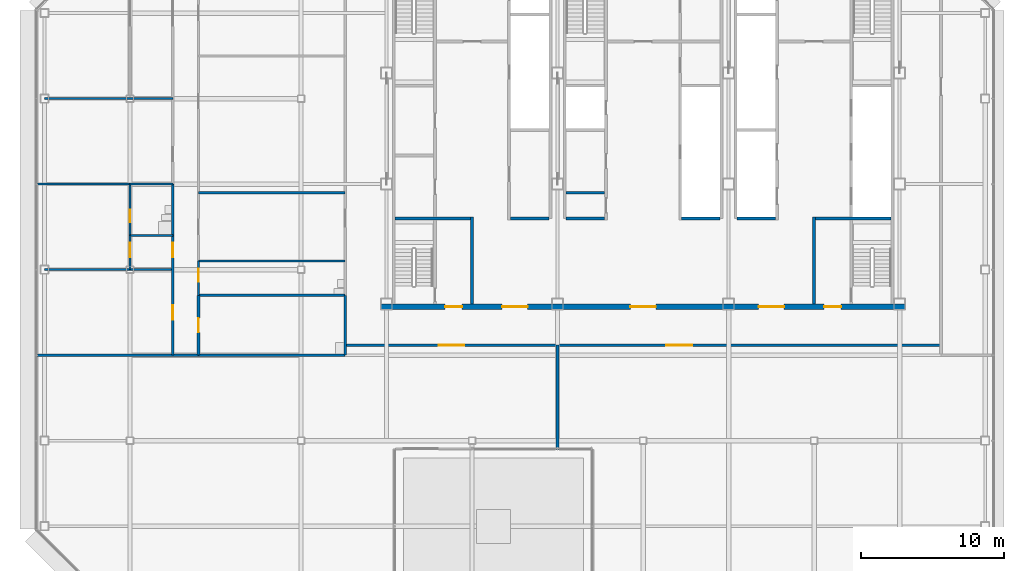
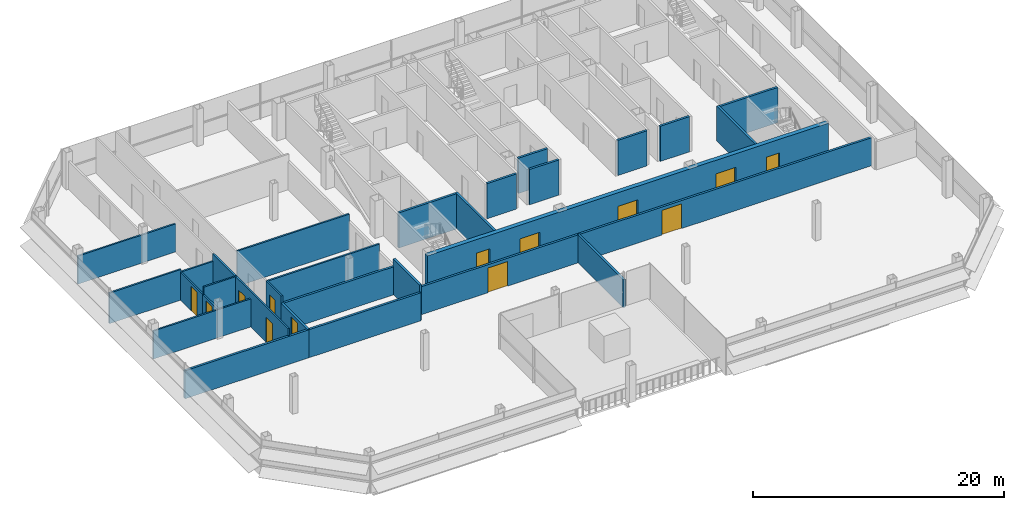
# One storey, part 20 of 27: 29 walls, 13 doors, 13 openings.
"""IFC4 building model written with IfcOpenShell, lengths in metres."""

from ifc_helpers import new_model, si_unit, direction, frame, frame_2d, origin, place, context, subcontext, project, spatial, rectangle, extrude, material, layer, layer_set, type_object, element, fill, save


model = new_model("IFC4")

# Units and contexts
model_context = context("Model", 3, precision=1e-05, world=origin(), true_north=direction((0.0, 1.0)))
body_context = subcontext(model_context, "Body", "Model", "MODEL_VIEW")
ifc_project = project(units=[si_unit("LENGTHUNIT", "METRE"), si_unit("AREAUNIT", "SQUARE_METRE"), si_unit("VOLUMEUNIT", "CUBIC_METRE"), si_unit("PLANEANGLEUNIT", "RADIAN"), si_unit("MASSUNIT", "GRAM", prefix="KILO")], contexts=[model_context])

# Site, building, storey
site_placement = place(None, origin())
site = spatial("IfcSite", under=ifc_project, at=site_placement, CompositionType="ELEMENT")
building_placement = place(site_placement, origin())
building = spatial("IfcBuilding", under=site, at=building_placement, Name="Sorahane Residences", CompositionType="ELEMENT")
storey_placement = place(building_placement, frame((0.0, 0.0, 298.0)))
storey = spatial("IfcBuildingStorey", under=building, at=storey_placement, Name="L70", CompositionType="ELEMENT", Elevation=298.0)

# Walls
ifc_material_1 = material(Name="Concrete blockwork C20 wall", Category="masonry")
ifc_layer_1 = layer(ifc_material_1, 0.199951171875)
ifc_layer_set_1 = layer_set([ifc_layer_1], Name="Corridor wall 200 EI 120")
wall_type_1 = type_object("IfcWallType", Name="Corridor wall 200 EI 120", PredefinedType="SOLIDWALL", material=ifc_layer_set_1)
wall_1_placement = place(storey_placement, frame((18.0, 11.39990234375, 0.0), z_axis=(0.0, 0.0, 1.0), x_axis=(0.0, 1.0, 0.0)))
element("IfcWall", 1, at=wall_1_placement, inside=storey, type_object=wall_type_1, Name="L70 corridor wall", PredefinedType="SOLIDWALL", context=body_context, shape_type="SweptSolid", body=[
    extrude(rectangle(XDim=7.300048828125, YDim=0.199951171875, at=frame_2d((3.64990234375, 0.0))), origin(), (0.0, 0.0, 1.0), 2.719970703125),
])
wall_2_placement = place(storey_placement, frame((-18.60009765625, 18.0, 0.0), z_axis=(0.0, 0.0, 1.0), x_axis=(1.0, 0.0, 0.0)))
element("IfcWall", 2, at=wall_2_placement, inside=storey, type_object=wall_type_1, Name="L70 corridor wall", PredefinedType="SOLIDWALL", context=body_context, shape_type="SweptSolid", body=[
    extrude(rectangle(XDim=11.400146484375, YDim=0.199951171875, at=frame_2d((5.7001953125, 0.0))), origin(), (0.0, 0.0, 1.0), 2.719970703125),
])

# Wall, openings, doors
wall_3_placement = place(storey_placement, frame((3.10009765625, 18.699951171875, 0.0), z_axis=(0.0, 0.0, 1.0), x_axis=(1.0, 0.0, 0.0)))
wall_3 = element("IfcWall", 3, at=wall_3_placement, inside=storey, type_object=wall_type_1, Name="L70 corridor wall", PredefinedType="SOLIDWALL", context=body_context, shape_type="SweptSolid", body=[
    extrude(rectangle(XDim=41.7998046875, YDim=0.199951171875, at=frame_2d((20.89990234375, 0.0))), origin(), (0.0, 0.0, 1.0), 2.719970703125),
])
opening_1_placement = place(wall_3_placement, frame((6.550048828125, 0.0, 0.0)))
opening_1 = element("IfcOpeningElement", 4, at=opening_1_placement, cuts=wall_3, Name="Opening L70-14", PredefinedType="OPENING", context=body_context, shape_type="SweptSolid", body=[
    extrude(rectangle(XDim=1.800048828125, YDim=2.39990234375, at=frame_2d((0.89990234375, 1.199951171875))), frame((0.0, 0.10986328125, 0.0), z_axis=(0.0, -1.0, 0.0), x_axis=(1.0, 0.0, 0.0)), (0.0, 0.0, 1.0), 0.219970703125),
])
opening_2_placement = place(wall_3_placement, frame((22.530029296875, 0.0, 0.0)))
opening_2 = element("IfcOpeningElement", 5, at=opening_2_placement, cuts=wall_3, Name="Opening L70-15", PredefinedType="OPENING", context=body_context, shape_type="SweptSolid", body=[
    extrude(rectangle(XDim=1.800048828125, YDim=2.39990234375, at=frame_2d((0.89990234375, 1.199951171875))), frame((0.0, 0.10986328125, 0.0), z_axis=(0.0, -1.0, 0.0), x_axis=(1.0, 0.0, 0.0)), (0.0, 0.0, 1.0), 0.219970703125),
])
ifc_material_2 = material(Name="Timber veneered fire door", Category="wood")
door_type_1 = type_object("IfcDoorType", Name="Double door 1800x2400 FD30", OperationType="NOTDEFINED", PredefinedType="DOOR", material=ifc_material_2)
door_1_placement = place(opening_1_placement, frame((1.800048828125, 0.0, 0.0), z_axis=(0.0, 0.0, 1.0), x_axis=(-1.0, 0.0, 0.0)))
door_1 = element("IfcDoor", 6, at=door_1_placement, inside=storey, type_object=door_type_1, Name="Double door L70-14", OperationType="SINGLE_SWING_RIGHT", OverallHeight=2.39990234375, OverallWidth=1.800048828125, PredefinedType="DOOR", context=body_context, shape_type="SweptSolid", body=[
    extrude(rectangle(XDim=1.800048828125, YDim=2.39990234375, at=frame_2d((0.89990234375, 1.199951171875))), frame((0.0, 0.02490234375, 0.0), z_axis=(0.0, -1.0, 0.0), x_axis=(1.0, 0.0, 0.0)), (0.0, 0.0, 1.0), 0.050048828125),
])
fill(opening_1, door_1)
door_2_placement = place(opening_2_placement, frame((1.800048828125, 0.0, 0.0), z_axis=(0.0, 0.0, 1.0), x_axis=(-1.0, 0.0, 0.0)))
door_2 = element("IfcDoor", 7, at=door_2_placement, inside=storey, type_object=door_type_1, Name="Double door L70-15", OperationType="SINGLE_SWING_RIGHT", OverallHeight=2.39990234375, OverallWidth=1.800048828125, PredefinedType="DOOR", context=body_context, shape_type="SweptSolid", body=[
    extrude(rectangle(XDim=1.800048828125, YDim=2.39990234375, at=frame_2d((0.89990234375, 1.199951171875))), frame((0.0, 0.02490234375, 0.0), z_axis=(0.0, -1.0, 0.0), x_axis=(1.0, 0.0, 0.0)), (0.0, 0.0, 1.0), 0.050048828125),
])
fill(opening_2, door_2)

# Walls
ifc_material_3 = material(Name="Concrete C30", Category="concrete")
ifc_layer_2 = layer(ifc_material_3, 0.199951171875)
ifc_layer_set_2 = layer_set([ifc_layer_2], Name="Front room wall 200 EI 120")
wall_type_2 = type_object("IfcWallType", Name="Front room wall 200 EI 120", PredefinedType="PARTITIONING", material=ifc_layer_set_2)
for number, where, z_axis, x_axis, name in (
    (8, (12.0, 21.60009765625, 0.0), (0.0, 0.0, 1.0), (0.0, 1.0, 0.0), "L70 front room wall"),
    (9, (36.0, 21.60009765625, 0.0), (0.0, 0.0, 1.0), (0.0, 1.0, 0.0), "L70 front room wall"),
):
    element("IfcWall", number, at=place(storey_placement, frame(where, z_axis=z_axis, x_axis=x_axis)), inside=storey, type_object=wall_type_2, Name=name, PredefinedType="PARTITIONING", context=body_context, shape_type="SweptSolid", body=[
        extrude(rectangle(XDim=6.099853515625, YDim=0.199951171875, at=frame_2d((3.0498046875, 0.0))), origin(), (0.0, 0.0, 1.0), 3.419921875),
    ])

# Wall, opening, door
ifc_material_4 = material(Name="Concrete blockwork C20 wall", Category="masonry")
ifc_layer_3 = layer(ifc_material_4, 0.199951171875)
ifc_layer_set_3 = layer_set([ifc_layer_3], Name="Kitchen wall 200 EI 180")
wall_type_3 = type_object("IfcWallType", Name="Kitchen wall 200 EI 180", PredefinedType="SOLIDWALL", material=ifc_layer_set_3)
wall_4_placement = place(storey_placement, frame((-7.199951171875, 18.0, 0.0), z_axis=(0.0, 0.0, 1.0), x_axis=(0.0, 1.0, 0.0)))
wall_4 = element("IfcWall", 10, at=wall_4_placement, inside=storey, type_object=wall_type_3, Name="L70 kitchen wall", PredefinedType="SOLIDWALL", context=body_context, shape_type="SweptSolid", body=[
    extrude(rectangle(XDim=4.199951171875, YDim=0.199951171875, at=frame_2d((2.10009765625, 0.0))), origin(), (0.0, 0.0, 1.0), 2.719970703125),
])
opening_3_placement = place(wall_4_placement, frame((1.60009765625, 0.0, 0.0)))
opening_3 = element("IfcOpeningElement", 11, at=opening_3_placement, cuts=wall_4, Name="Opening L70-02", PredefinedType="OPENING", context=body_context, shape_type="SweptSolid", body=[
    extrude(rectangle(XDim=1.0, YDim=2.39990234375, at=frame_2d((0.5, 1.199951171875))), frame((0.0, 0.10986328125, 0.0), z_axis=(0.0, -1.0, 0.0), x_axis=(1.0, 0.0, 0.0)), (0.0, 0.0, 1.0), 0.219970703125),
])
ifc_material_5 = material(Name="Steel", Category="steel")
door_type_2 = type_object("IfcDoorType", Name="Kitchen door 1000x2400 FD120", OperationType="NOTDEFINED", PredefinedType="DOOR", material=ifc_material_5)
door_3_placement = place(opening_3_placement, frame((1.0, 0.0, 0.0), z_axis=(0.0, 0.0, 1.0), x_axis=(-1.0, 0.0, 0.0)))
door_3 = element("IfcDoor", 12, at=door_3_placement, inside=storey, type_object=door_type_2, Name="Kitchen door L70-02", OperationType="SINGLE_SWING_RIGHT", OverallHeight=2.39990234375, OverallWidth=1.0, PredefinedType="DOOR", context=body_context, shape_type="SweptSolid", body=[
    extrude(rectangle(XDim=1.0, YDim=2.39990234375, at=frame_2d((0.5, 1.199951171875))), frame((0.0, 0.02490234375, 0.0), z_axis=(0.0, -1.0, 0.0), x_axis=(1.0, 0.0, 0.0)), (0.0, 0.0, 1.0), 0.050048828125),
])
fill(opening_3, door_3)

# Walls
wall_5_placement = place(storey_placement, frame((3.10009765625, 18.001953125, 0.0), z_axis=(0.0, 0.0, 1.0), x_axis=(0.0, 1.0, 0.0)))
element("IfcWall", 13, at=wall_5_placement, inside=storey, type_object=wall_type_3, Name="L70 kitchen wall", PredefinedType="SOLIDWALL", context=body_context, shape_type="SweptSolid", body=[
    extrude(rectangle(XDim=4.197998046875, YDim=0.199951171875, at=frame_2d((2.09912109375, 0.0))), origin(), (0.0, 0.0, 1.0), 3.419921875),
])
wall_6_placement = place(storey_placement, frame((-7.199951171875, 18.0, 0.0), z_axis=(0.0, 0.0, 1.0), x_axis=(1.0, 0.0, 0.0)))
element("IfcWall", 14, at=wall_6_placement, inside=storey, type_object=wall_type_3, Name="L70 kitchen wall", PredefinedType="SOLIDWALL", context=body_context, shape_type="SweptSolid", body=[
    extrude(rectangle(XDim=10.2978515625, YDim=0.199951171875, at=frame_2d((5.14892578125, 0.0))), origin(), (0.0, 0.0, 1.0), 2.719970703125),
])
wall_7_placement = place(storey_placement, frame((-7.199951171875, 22.199951171875, 0.0), z_axis=(0.0, 0.0, 1.0), x_axis=(1.0, 0.0, 0.0)))
element("IfcWall", 15, at=wall_7_placement, inside=storey, type_object=wall_type_3, Name="L70 kitchen wall", PredefinedType="SOLIDWALL", context=body_context, shape_type="SweptSolid", body=[
    extrude(rectangle(XDim=10.300048828125, YDim=0.199951171875, at=frame_2d((5.14990234375, 0.0))), origin(), (0.0, 0.0, 1.0), 2.719970703125),
])
ifc_material_6 = material(Name="Concrete C30", Category="concrete")
ifc_layer_4 = layer(ifc_material_6, 0.199951171875)
ifc_layer_set_4 = layer_set([ifc_layer_4], Name="Lift shaft wall 200 EI 120")
wall_type_4 = type_object("IfcWallType", Name="Lift shaft wall 200 EI 120", PredefinedType="SOLIDWALL", material=ifc_layer_set_4)
wall_8_placement = place(storey_placement, frame((30.60009765625, 27.60009765625, 0.0), z_axis=(0.0, 0.0, 1.0), x_axis=(1.0, 0.0, 0.0)))
element("IfcWall", 16, at=wall_8_placement, inside=storey, type_object=wall_type_4, Name="L70 lift shaft wall", PredefinedType="SOLIDWALL", context=body_context, shape_type="SweptSolid", body=[
    extrude(rectangle(XDim=2.699951171875, YDim=0.199951171875, at=frame_2d((1.35009765625, 0.0))), origin(), (0.0, 0.0, 1.0), 3.419921875),
])

# Wall, opening, door
ifc_material_7 = material(Name="Gypsum board partition on steel studs", Category="steel")
ifc_layer_5 = layer(ifc_material_7, 0.14990234375)
ifc_layer_set_5 = layer_set([ifc_layer_5], Name="Partition 150 EI 90")
wall_type_5 = type_object("IfcWallType", Name="Partition 150 EI 90", PredefinedType="PARTITIONING", material=ifc_layer_set_5)
wall_9_placement = place(storey_placement, frame((-12.0, 24.0, 0.0), z_axis=(0.0, 0.0, 1.0), x_axis=(0.0, 1.0, 0.0)))
wall_9 = element("IfcWall", 17, at=wall_9_placement, inside=storey, type_object=wall_type_5, Name="L70 partition", PredefinedType="PARTITIONING", context=body_context, shape_type="SweptSolid", body=[
    extrude(rectangle(XDim=2.39990234375, YDim=0.14990234375, at=frame_2d((1.199951171875, 0.0))), origin(), (0.0, 0.0, 1.0), 2.719970703125),
])
opening_4_placement = place(wall_9_placement, frame((0.8798828125, 0.0, 0.0)))
opening_4 = element("IfcOpeningElement", 18, at=opening_4_placement, cuts=wall_9, Name="Opening L70-10", PredefinedType="OPENING", context=body_context, shape_type="SweptSolid", body=[
    extrude(rectangle(XDim=1.0, YDim=2.39990234375, at=frame_2d((0.5, 1.199951171875))), frame((0.0, 0.0849609375, 0.0), z_axis=(0.0, -1.0, 0.0), x_axis=(1.0, 0.0, 0.0)), (0.0, 0.0, 1.0), 0.169921875),
])
ifc_material_8 = material(Name="Timber veneered fire door", Category="wood")
door_type_3 = type_object("IfcDoorType", Name="Room door 1000x2400 FD30", OperationType="NOTDEFINED", PredefinedType="DOOR", material=ifc_material_8)
door_4_placement = place(opening_4_placement, origin())
door_4 = element("IfcDoor", 19, at=door_4_placement, inside=storey, type_object=door_type_3, Name="Room door L70-10", OperationType="SINGLE_SWING_RIGHT", OverallHeight=2.39990234375, OverallWidth=1.0, PredefinedType="DOOR", context=body_context, shape_type="SweptSolid", body=[
    extrude(rectangle(XDim=1.0, YDim=2.39990234375, at=frame_2d((0.5, 1.199951171875))), frame((0.0, 0.02490234375, 0.0), z_axis=(0.0, -1.0, 0.0), x_axis=(1.0, 0.0, 0.0)), (0.0, 0.0, 1.0), 0.050048828125),
])
fill(opening_4, door_4)

# Wall, openings, doors
wall_10_placement = place(storey_placement, frame((-9.0, 18.0, 0.0), z_axis=(0.0, 0.0, 1.0), x_axis=(0.0, 1.0, 0.0)))
wall_10 = element("IfcWall", 20, at=wall_10_placement, inside=storey, type_object=wall_type_5, Name="L70 partition", PredefinedType="PARTITIONING", context=body_context, shape_type="SweptSolid", body=[
    extrude(rectangle(XDim=8.39990234375, YDim=0.14990234375, at=frame_2d((4.199951171875, 0.0))), origin(), (0.0, 0.0, 1.0), 3.419921875),
])
opening_5_placement = place(wall_10_placement, frame((2.5, 0.0, 0.0)))
opening_5 = element("IfcOpeningElement", 21, at=opening_5_placement, cuts=wall_10, Name="Opening L70-06", PredefinedType="OPENING", context=body_context, shape_type="SweptSolid", body=[
    extrude(rectangle(XDim=1.0, YDim=2.39990234375, at=frame_2d((0.5, 1.199951171875))), frame((0.0, 0.0849609375, 0.0), z_axis=(0.0, -1.0, 0.0), x_axis=(1.0, 0.0, 0.0)), (0.0, 0.0, 1.0), 0.169921875),
])
opening_6_placement = place(wall_10_placement, frame((6.8798828125, 0.0, 0.0)))
opening_6 = element("IfcOpeningElement", 22, at=opening_6_placement, cuts=wall_10, Name="Opening L70-07", PredefinedType="OPENING", context=body_context, shape_type="SweptSolid", body=[
    extrude(rectangle(XDim=1.0, YDim=2.39990234375, at=frame_2d((0.5, 1.199951171875))), frame((0.0, 0.0849609375, 0.0), z_axis=(0.0, -1.0, 0.0), x_axis=(1.0, 0.0, 0.0)), (0.0, 0.0, 1.0), 0.169921875),
])
door_5_placement = place(opening_5_placement, origin())
door_5 = element("IfcDoor", 23, at=door_5_placement, inside=storey, type_object=door_type_3, Name="Room door L70-06", OperationType="SINGLE_SWING_LEFT", OverallHeight=2.39990234375, OverallWidth=1.0, PredefinedType="DOOR", context=body_context, shape_type="SweptSolid", body=[
    extrude(rectangle(XDim=1.0, YDim=2.39990234375, at=frame_2d((0.5, 1.199951171875))), frame((0.0, 0.02490234375, 0.0), z_axis=(0.0, -1.0, 0.0), x_axis=(1.0, 0.0, 0.0)), (0.0, 0.0, 1.0), 0.050048828125),
])
fill(opening_5, door_5)
door_6_placement = place(opening_6_placement, origin())
door_6 = element("IfcDoor", 24, at=door_6_placement, inside=storey, type_object=door_type_3, Name="Room door L70-07", OperationType="SINGLE_SWING_LEFT", OverallHeight=2.39990234375, OverallWidth=1.0, PredefinedType="DOOR", context=body_context, shape_type="SweptSolid", body=[
    extrude(rectangle(XDim=1.0, YDim=2.39990234375, at=frame_2d((0.5, 1.199951171875))), frame((0.0, 0.02490234375, 0.0), z_axis=(0.0, -1.0, 0.0), x_axis=(1.0, 0.0, 0.0)), (0.0, 0.0, 1.0), 0.050048828125),
])
fill(opening_6, door_6)

# Walls
wall_11_placement = place(storey_placement, frame((-18.0, 24.0, 0.0), z_axis=(0.0, 0.0, 1.0), x_axis=(1.0, 0.0, 0.0)))
element("IfcWall", 25, at=wall_11_placement, inside=storey, type_object=wall_type_5, Name="L70 partition", PredefinedType="PARTITIONING", context=body_context, shape_type="SweptSolid", body=[
    extrude(rectangle(XDim=9.0, YDim=0.14990234375, at=frame_2d((4.5, 0.0))), origin(), (0.0, 0.0, 1.0), 2.719970703125),
])
wall_12_placement = place(storey_placement, frame((-7.199951171875, 29.39990234375, 0.0), z_axis=(0.0, 0.0, 1.0), x_axis=(1.0, 0.0, 0.0)))
element("IfcWall", 26, at=wall_12_placement, inside=storey, type_object=wall_type_5, Name="L70 partition", PredefinedType="PARTITIONING", context=body_context, shape_type="SweptSolid", body=[
    extrude(rectangle(XDim=10.300048828125, YDim=0.14990234375, at=frame_2d((5.14990234375, 0.0))), origin(), (0.0, 0.0, 1.0), 3.419921875),
])
wall_13_placement = place(storey_placement, frame((-18.60009765625, 30.0, 0.0), z_axis=(0.0, 0.0, 1.0), x_axis=(1.0, 0.0, 0.0)))
element("IfcWall", 27, at=wall_13_placement, inside=storey, type_object=wall_type_5, Name="L70 partition", PredefinedType="PARTITIONING", context=body_context, shape_type="SweptSolid", body=[
    extrude(rectangle(XDim=6.60009765625, YDim=0.14990234375, at=frame_2d((3.300048828125, 0.0))), origin(), (0.0, 0.0, 1.0), 2.969970703125),
])
wall_14_placement = place(storey_placement, frame((-18.0, 36.0, 0.0), z_axis=(0.0, 0.0, 1.0), x_axis=(1.0, 0.0, 0.0)))
element("IfcWall", 28, at=wall_14_placement, inside=storey, type_object=wall_type_5, Name="L70 partition", PredefinedType="PARTITIONING", context=body_context, shape_type="SweptSolid", body=[
    extrude(rectangle(XDim=9.0, YDim=0.14990234375, at=frame_2d((4.5, 0.0))), origin(), (0.0, 0.0, 1.0), 2.719970703125),
])
ifc_material_9 = material(Name="Concrete C30", Category="concrete")
ifc_layer_6 = layer(ifc_material_9, 0.199951171875)
ifc_layer_set_6 = layer_set([ifc_layer_6], Name="Riser shaft wall 200 EI 120")
wall_type_6 = type_object("IfcWallType", Name="Riser shaft wall 200 EI 120", PredefinedType="SOLIDWALL", material=ifc_layer_set_6)
wall_15_placement = place(storey_placement, frame((26.699951171875, 27.60009765625, 0.0), z_axis=(0.0, 0.0, 1.0), x_axis=(1.0, 0.0, 0.0)))
element("IfcWall", 29, at=wall_15_placement, inside=storey, type_object=wall_type_6, Name="L70 riser wall", PredefinedType="SOLIDWALL", context=body_context, shape_type="SweptSolid", body=[
    extrude(rectangle(XDim=2.699951171875, YDim=0.199951171875, at=frame_2d((1.35009765625, 0.0))), origin(), (0.0, 0.0, 1.0), 3.419921875),
])
ifc_material_10 = material(Name="Concrete C30", Category="concrete")
ifc_layer_7 = layer(ifc_material_10, 0.199951171875)
ifc_layer_set_7 = layer_set([ifc_layer_7], Name="Service room partition 200 EI 60")
wall_type_7 = type_object("IfcWallType", Name="Service room partition 200 EI 60", PredefinedType="PARTITIONING", material=ifc_layer_set_7)
for number, where, z_axis, x_axis, name in (
    (30, (14.699951171875, 27.60009765625, 0.0), (0.0, 0.0, 1.0), (1.0, 0.0, 0.0), "L70 service room wall"),
    (31, (18.60009765625, 27.60009765625, 0.0), (0.0, 0.0, 1.0), (1.0, 0.0, 0.0), "L70 service room wall"),
    (32, (18.60009765625, 29.39990234375, 0.0), (0.0, 0.0, 1.0), (1.0, 0.0, 0.0), "L70 service room wall"),
):
    element("IfcWall", number, at=place(storey_placement, frame(where, z_axis=z_axis, x_axis=x_axis)), inside=storey, type_object=wall_type_7, Name=name, PredefinedType="PARTITIONING", context=body_context, shape_type="SweptSolid", body=[
        extrude(rectangle(XDim=2.699951171875, YDim=0.199951171875, at=frame_2d((1.35009765625, 0.0))), origin(), (0.0, 0.0, 1.0), 3.419921875),
    ])
ifc_material_11 = material(Name="Concrete C30", Category="concrete")
ifc_layer_8 = layer(ifc_material_11, 0.199951171875)
ifc_layer_set_8 = layer_set([ifc_layer_8], Name="Stair enclosure wall 200 EI 120")
wall_type_8 = type_object("IfcWallType", Name="Stair enclosure wall 200 EI 120", PredefinedType="SOLIDWALL", material=ifc_layer_set_8)
for number, where, z_axis, x_axis, name in (
    (33, (36.10009765625, 27.60009765625, 0.0), (0.0, 0.0, 1.0), (1.0, 0.0, 0.0), "L70 stair enclosure wall"),
    (34, (6.60009765625, 27.60009765625, 0.0), (0.0, 0.0, 1.0), (1.0, 0.0, 0.0), "L70 stair enclosure wall"),
):
    element("IfcWall", number, at=place(storey_placement, frame(where, z_axis=z_axis, x_axis=x_axis)), inside=storey, type_object=wall_type_8, Name=name, PredefinedType="SOLIDWALL", context=body_context, shape_type="SweptSolid", body=[
        extrude(rectangle(XDim=5.2998046875, YDim=0.199951171875, at=frame_2d((2.64990234375, 0.0))), origin(), (0.0, 0.0, 1.0), 3.419921875),
    ])

# Wall, openings, doors
ifc_material_12 = material(Name="Concrete C30", Category="concrete")
ifc_layer_9 = layer(ifc_material_12, 0.39990234375)
ifc_layer_set_9 = layer_set([ifc_layer_9], Name="Waiting hall wall 400 EI 120")
wall_type_9 = type_object("IfcWallType", Name="Waiting hall wall 400 EI 120", PredefinedType="SOLIDWALL", material=ifc_layer_set_9)
wall_16_placement = place(storey_placement, frame((5.60009765625, 21.39990234375, 0.0), z_axis=(0.0, 0.0, 1.0), x_axis=(1.0, 0.0, 0.0)))
wall_16 = element("IfcWall", 35, at=wall_16_placement, inside=storey, type_object=wall_type_9, Name="L70 waiting hall wall", PredefinedType="SOLIDWALL", context=body_context, shape_type="SweptSolid", body=[
    extrude(rectangle(XDim=36.7998046875, YDim=0.39990234375, at=frame_2d((18.39990234375, 0.0))), origin(), (0.0, 0.0, 1.0), 3.419921875),
])
opening_7_placement = place(wall_16_placement, frame((8.5, 0.0, 0.0)))
opening_7 = element("IfcOpeningElement", 36, at=opening_7_placement, cuts=wall_16, Name="Opening L70-C01", PredefinedType="OPENING", context=body_context, shape_type="SweptSolid", body=[
    extrude(rectangle(XDim=1.800048828125, YDim=2.10009765625, at=frame_2d((0.89990234375, 1.050048828125))), frame((0.0, 0.2099609375, 0.0), z_axis=(0.0, -1.0, 0.0), x_axis=(1.0, 0.0, 0.0)), (0.0, 0.0, 1.0), 0.419921875),
])
opening_8_placement = place(wall_16_placement, frame((17.5, 0.0, 0.0)))
opening_8 = element("IfcOpeningElement", 37, at=opening_8_placement, cuts=wall_16, Name="Opening L70-C02", PredefinedType="OPENING", context=body_context, shape_type="SweptSolid", body=[
    extrude(rectangle(XDim=1.800048828125, YDim=2.10009765625, at=frame_2d((0.89990234375, 1.050048828125))), frame((0.0, 0.2099609375, 0.0), z_axis=(0.0, -1.0, 0.0), x_axis=(1.0, 0.0, 0.0)), (0.0, 0.0, 1.0), 0.419921875),
])
opening_9_placement = place(wall_16_placement, frame((26.5, 0.0, 0.0)))
opening_9 = element("IfcOpeningElement", 38, at=opening_9_placement, cuts=wall_16, Name="Opening L70-C03", PredefinedType="OPENING", context=body_context, shape_type="SweptSolid", body=[
    extrude(rectangle(XDim=1.800048828125, YDim=2.10009765625, at=frame_2d((0.89990234375, 1.050048828125))), frame((0.0, 0.2099609375, 0.0), z_axis=(0.0, -1.0, 0.0), x_axis=(1.0, 0.0, 0.0)), (0.0, 0.0, 1.0), 0.419921875),
])
opening_10_placement = place(wall_16_placement, frame((4.5, 0.0, 0.0)))
opening_10 = element("IfcOpeningElement", 39, at=opening_10_placement, cuts=wall_16, Name="Opening L70-C04", PredefinedType="OPENING", context=body_context, shape_type="SweptSolid", body=[
    extrude(rectangle(XDim=1.199951171875, YDim=2.10009765625, at=frame_2d((0.60009765625, 1.050048828125))), frame((0.0, 0.2099609375, 0.0), z_axis=(0.0, -1.0, 0.0), x_axis=(1.0, 0.0, 0.0)), (0.0, 0.0, 1.0), 0.419921875),
])
opening_11_placement = place(wall_16_placement, frame((31.10009765625, 0.0, 0.0)))
opening_11 = element("IfcOpeningElement", 40, at=opening_11_placement, cuts=wall_16, Name="Opening L70-C05", PredefinedType="OPENING", context=body_context, shape_type="SweptSolid", body=[
    extrude(rectangle(XDim=1.199951171875, YDim=2.10009765625, at=frame_2d((0.60009765625, 1.050048828125))), frame((0.0, 0.2099609375, 0.0), z_axis=(0.0, -1.0, 0.0), x_axis=(1.0, 0.0, 0.0)), (0.0, 0.0, 1.0), 0.419921875),
])
ifc_material_13 = material(Name="Steel", Category="steel")
door_type_4 = type_object("IfcDoorType", Name="Stair front room door 1200x2100 FD120", OperationType="NOTDEFINED", PredefinedType="DOOR", material=ifc_material_13)
door_7_placement = place(opening_10_placement, frame((1.199951171875, 0.0, 0.0), z_axis=(0.0, 0.0, 1.0), x_axis=(-1.0, 0.0, 0.0)))
door_7 = element("IfcDoor", 41, at=door_7_placement, inside=storey, type_object=door_type_4, Name="Stair front room door Stair S4 front room L70", OperationType="SINGLE_SWING_LEFT", OverallHeight=2.10009765625, OverallWidth=1.199951171875, PredefinedType="DOOR", context=body_context, shape_type="SweptSolid", body=[
    extrude(rectangle(XDim=1.199951171875, YDim=2.10009765625, at=frame_2d((0.60009765625, 1.050048828125))), frame((0.0, 0.02490234375, 0.0), z_axis=(0.0, -1.0, 0.0), x_axis=(1.0, 0.0, 0.0)), (0.0, 0.0, 1.0), 0.050048828125),
])
fill(opening_10, door_7)
door_8_placement = place(opening_11_placement, frame((1.199951171875, 0.0, 0.0), z_axis=(0.0, 0.0, 1.0), x_axis=(-1.0, 0.0, 0.0)))
door_8 = element("IfcDoor", 42, at=door_8_placement, inside=storey, type_object=door_type_4, Name="Stair front room door Stair S5 front room L70", OperationType="SINGLE_SWING_LEFT", OverallHeight=2.10009765625, OverallWidth=1.199951171875, PredefinedType="DOOR", context=body_context, shape_type="SweptSolid", body=[
    extrude(rectangle(XDim=1.199951171875, YDim=2.10009765625, at=frame_2d((0.60009765625, 1.050048828125))), frame((0.0, 0.02490234375, 0.0), z_axis=(0.0, -1.0, 0.0), x_axis=(1.0, 0.0, 0.0)), (0.0, 0.0, 1.0), 0.050048828125),
])
fill(opening_11, door_8)
ifc_material_14 = material(Name="Steel", Category="steel")
door_type_5 = type_object("IfcDoorType", Name="Waiting hall door 1800x2100 FD60", OperationType="NOTDEFINED", PredefinedType="DOOR", material=ifc_material_14)
door_9_placement = place(opening_7_placement, frame((1.800048828125, 0.0, 0.0), z_axis=(0.0, 0.0, 1.0), x_axis=(-1.0, 0.0, 0.0)))
door_9 = element("IfcDoor", 43, at=door_9_placement, inside=storey, type_object=door_type_5, Name="Waiting hall door Residents' waiting hall L70", OperationType="SINGLE_SWING_LEFT", OverallHeight=2.10009765625, OverallWidth=1.800048828125, PredefinedType="DOOR", context=body_context, shape_type="SweptSolid", body=[
    extrude(rectangle(XDim=1.800048828125, YDim=2.10009765625, at=frame_2d((0.89990234375, 1.050048828125))), frame((0.0, 0.02490234375, 0.0), z_axis=(0.0, -1.0, 0.0), x_axis=(1.0, 0.0, 0.0)), (0.0, 0.0, 1.0), 0.050048828125),
])
fill(opening_7, door_9)
door_10_placement = place(opening_8_placement, frame((1.800048828125, 0.0, 0.0), z_axis=(0.0, 0.0, 1.0), x_axis=(-1.0, 0.0, 0.0)))
door_10 = element("IfcDoor", 44, at=door_10_placement, inside=storey, type_object=door_type_5, Name="Waiting hall door Residents' waiting hall L70", OperationType="SINGLE_SWING_LEFT", OverallHeight=2.10009765625, OverallWidth=1.800048828125, PredefinedType="DOOR", context=body_context, shape_type="SweptSolid", body=[
    extrude(rectangle(XDim=1.800048828125, YDim=2.10009765625, at=frame_2d((0.89990234375, 1.050048828125))), frame((0.0, 0.02490234375, 0.0), z_axis=(0.0, -1.0, 0.0), x_axis=(1.0, 0.0, 0.0)), (0.0, 0.0, 1.0), 0.050048828125),
])
fill(opening_8, door_10)
door_11_placement = place(opening_9_placement, frame((1.800048828125, 0.0, 0.0), z_axis=(0.0, 0.0, 1.0), x_axis=(-1.0, 0.0, 0.0)))
door_11 = element("IfcDoor", 45, at=door_11_placement, inside=storey, type_object=door_type_5, Name="Waiting hall door Residents' waiting hall L70", OperationType="SINGLE_SWING_LEFT", OverallHeight=2.10009765625, OverallWidth=1.800048828125, PredefinedType="DOOR", context=body_context, shape_type="SweptSolid", body=[
    extrude(rectangle(XDim=1.800048828125, YDim=2.10009765625, at=frame_2d((0.89990234375, 1.050048828125))), frame((0.0, 0.02490234375, 0.0), z_axis=(0.0, -1.0, 0.0), x_axis=(1.0, 0.0, 0.0)), (0.0, 0.0, 1.0), 0.050048828125),
])
fill(opening_9, door_11)

# Wall, opening, door
ifc_material_15 = material(Name="Gypsum board partition on steel studs", Category="steel")
ifc_layer_10 = layer(ifc_material_15, 0.14990234375)
ifc_layer_set_10 = layer_set([ifc_layer_10], Name="Wet wall 150 EI 90")
wall_type_10 = type_object("IfcWallType", Name="Wet wall 150 EI 90", PredefinedType="PARTITIONING", material=ifc_layer_set_10)
wall_17_placement = place(storey_placement, frame((-12.0, 26.39990234375, 0.0), z_axis=(0.0, 0.0, 1.0), x_axis=(0.0, 1.0, 0.0)))
wall_17 = element("IfcWall", 46, at=wall_17_placement, inside=storey, type_object=wall_type_10, Name="L70 wet wall", PredefinedType="PARTITIONING", context=body_context, shape_type="SweptSolid", body=[
    extrude(rectangle(XDim=3.60009765625, YDim=0.14990234375, at=frame_2d((1.800048828125, 0.0))), origin(), (0.0, 0.0, 1.0), 2.719970703125),
])
opening_12_placement = place(wall_17_placement, frame((0.909912109375, 0.0, 0.0)))
opening_12 = element("IfcOpeningElement", 47, at=opening_12_placement, cuts=wall_17, Name="Opening L70-11", PredefinedType="OPENING", context=body_context, shape_type="SweptSolid", body=[
    extrude(rectangle(XDim=0.89990234375, YDim=2.39990234375, at=frame_2d((0.449951171875, 1.199951171875))), frame((0.0, 0.0849609375, 0.0), z_axis=(0.0, -1.0, 0.0), x_axis=(1.0, 0.0, 0.0)), (0.0, 0.0, 1.0), 0.169921875),
])
ifc_material_16 = material(Name="Timber veneered fire door", Category="wood")
door_type_6 = type_object("IfcDoorType", Name="Bathroom door 900x2400 FD30", OperationType="NOTDEFINED", PredefinedType="DOOR", material=ifc_material_16)
door_12_placement = place(opening_12_placement, origin())
door_12 = element("IfcDoor", 48, at=door_12_placement, inside=storey, type_object=door_type_6, Name="Bathroom door L70-11", OperationType="SINGLE_SWING_LEFT", OverallHeight=2.39990234375, OverallWidth=0.89990234375, PredefinedType="DOOR", context=body_context, shape_type="SweptSolid", body=[
    extrude(rectangle(XDim=0.89990234375, YDim=2.39990234375, at=frame_2d((0.449951171875, 1.199951171875))), frame((0.0, 0.02490234375, 0.0), z_axis=(0.0, -1.0, 0.0), x_axis=(1.0, 0.0, 0.0)), (0.0, 0.0, 1.0), 0.050048828125),
])
fill(opening_12, door_12)

wall_18_placement = place(storey_placement, frame((-7.199951171875, 22.199951171875, 0.0), z_axis=(0.0, 0.0, 1.0), x_axis=(0.0, 1.0, 0.0)))
wall_18 = element("IfcWall", 49, at=wall_18_placement, inside=storey, type_object=wall_type_10, Name="L70 wet wall", PredefinedType="PARTITIONING", context=body_context, shape_type="SweptSolid", body=[
    extrude(rectangle(XDim=2.400146484375, YDim=0.14990234375, at=frame_2d((1.2001953125, 0.0))), origin(), (0.0, 0.0, 1.0), 3.419921875),
])
opening_13_placement = place(wall_18_placement, frame((0.949951171875, 0.0, 0.0)))
opening_13 = element("IfcOpeningElement", 50, at=opening_13_placement, cuts=wall_18, Name="Opening L70-03", PredefinedType="OPENING", context=body_context, shape_type="SweptSolid", body=[
    extrude(rectangle(XDim=0.89990234375, YDim=2.39990234375, at=frame_2d((0.449951171875, 1.199951171875))), frame((0.0, 0.0849609375, 0.0), z_axis=(0.0, -1.0, 0.0), x_axis=(1.0, 0.0, 0.0)), (0.0, 0.0, 1.0), 0.169921875),
])
door_13_placement = place(opening_13_placement, origin())
door_13 = element("IfcDoor", 51, at=door_13_placement, inside=storey, type_object=door_type_6, Name="Bathroom door L70-03", OperationType="SINGLE_SWING_RIGHT", OverallHeight=2.39990234375, OverallWidth=0.89990234375, PredefinedType="DOOR", context=body_context, shape_type="SweptSolid", body=[
    extrude(rectangle(XDim=0.89990234375, YDim=2.39990234375, at=frame_2d((0.449951171875, 1.199951171875))), frame((0.0, 0.02490234375, 0.0), z_axis=(0.0, -1.0, 0.0), x_axis=(1.0, 0.0, 0.0)), (0.0, 0.0, 1.0), 0.050048828125),
])
fill(opening_13, door_13)

# Walls
wall_19_placement = place(storey_placement, frame((-9.0, 26.39990234375, 0.0), z_axis=(0.0, 0.0, 1.0), x_axis=(0.0, 1.0, 0.0)))
element("IfcWall", 52, at=wall_19_placement, inside=storey, type_object=wall_type_10, Name="L70 wet wall", PredefinedType="PARTITIONING", context=body_context, shape_type="SweptSolid", body=[
    extrude(rectangle(XDim=3.60009765625, YDim=0.14990234375, at=frame_2d((1.800048828125, 0.0))), origin(), (0.0, 0.0, 1.0), 3.419921875),
])
wall_20_placement = place(storey_placement, frame((-7.199951171875, 24.60009765625, 0.0), z_axis=(0.0, 0.0, 1.0), x_axis=(1.0, 0.0, 0.0)))
element("IfcWall", 53, at=wall_20_placement, inside=storey, type_object=wall_type_10, Name="L70 wet wall", PredefinedType="PARTITIONING", context=body_context, shape_type="SweptSolid", body=[
    extrude(rectangle(XDim=10.300048828125, YDim=0.14990234375, at=frame_2d((5.14990234375, 0.0))), origin(), (0.0, 0.0, 1.0), 3.419921875),
])
wall_21_placement = place(storey_placement, frame((-12.0, 26.39990234375, 0.0), z_axis=(0.0, 0.0, 1.0), x_axis=(1.0, 0.0, 0.0)))
element("IfcWall", 54, at=wall_21_placement, inside=storey, type_object=wall_type_10, Name="L70 wet wall", PredefinedType="PARTITIONING", context=body_context, shape_type="SweptSolid", body=[
    extrude(rectangle(XDim=3.0, YDim=0.14990234375, at=frame_2d((1.5, 0.0))), origin(), (0.0, 0.0, 1.0), 3.419921875),
])
wall_22_placement = place(storey_placement, frame((-12.0, 30.0, 0.0), z_axis=(0.0, 0.0, 1.0), x_axis=(1.0, 0.0, 0.0)))
element("IfcWall", 55, at=wall_22_placement, inside=storey, type_object=wall_type_10, Name="L70 wet wall", PredefinedType="PARTITIONING", context=body_context, shape_type="SweptSolid", body=[
    extrude(rectangle(XDim=3.0, YDim=0.14990234375, at=frame_2d((1.5, 0.0))), origin(), (0.0, 0.0, 1.0), 2.719970703125),
])

save(model, "model.ifc")
